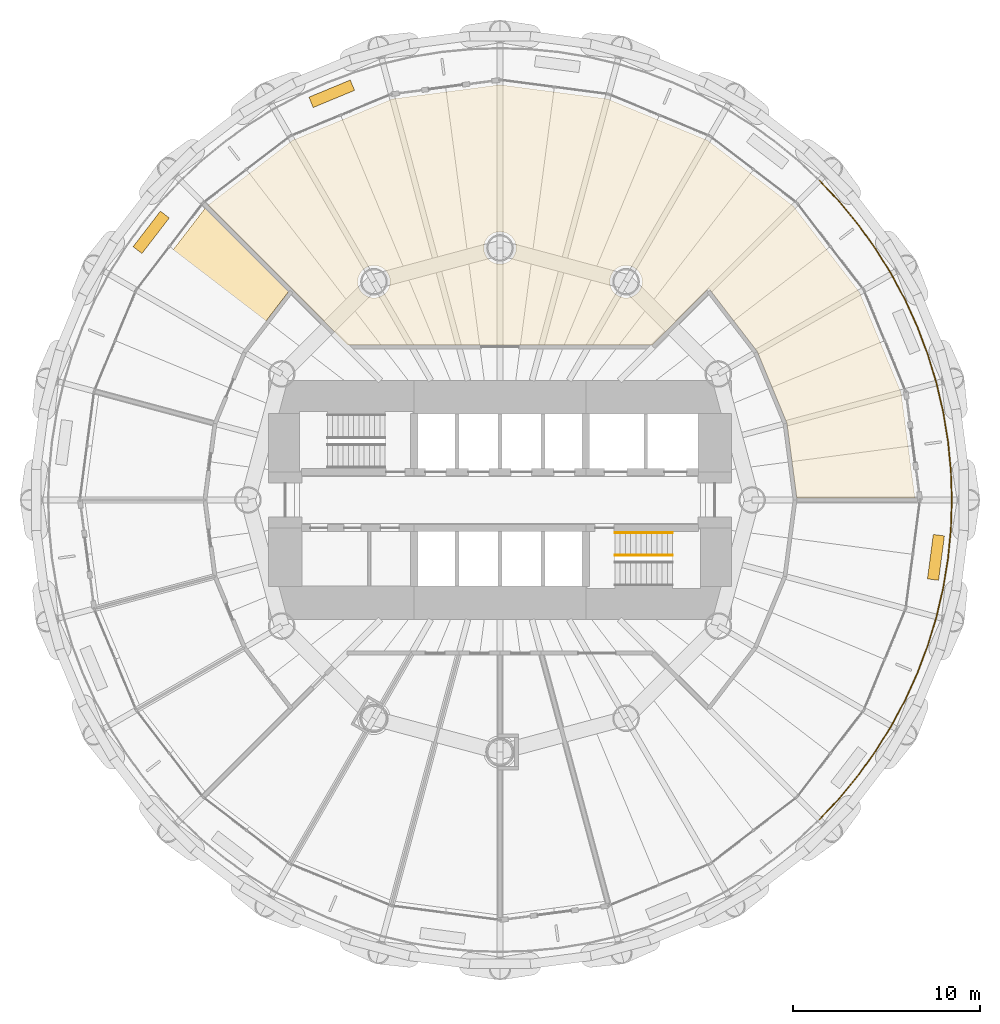
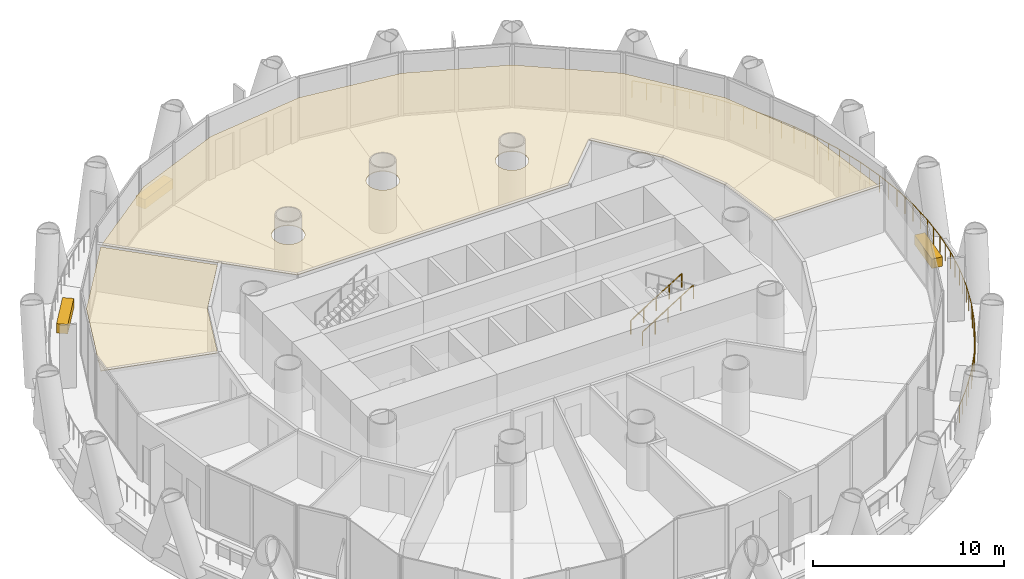
# One storey, part 15 of 16: 5 coverings, 3 railings.
"""IFC4 building model written with IfcOpenShell, lengths in metres."""

from ifc_helpers import new_model, si_unit, direction, frame, origin, origin_2d, place, context, subcontext, project, spatial, polyline, rectangle, circle, outline, extrude, material, layer, layer_set, type_object, element, save


model = new_model("IFC4")

# Units and contexts
model_context = context("Model", 3, precision=1e-05, world=origin(), true_north=direction((0.0, 1.0)))
body_context = subcontext(model_context, "Body", "Model", "MODEL_VIEW")
ifc_project = project(units=[si_unit("LENGTHUNIT", "METRE"), si_unit("AREAUNIT", "SQUARE_METRE"), si_unit("VOLUMEUNIT", "CUBIC_METRE"), si_unit("PLANEANGLEUNIT", "RADIAN"), si_unit("MASSUNIT", "GRAM", prefix="KILO")], contexts=[model_context])

# Site, building, storey
site_placement = place(None, origin())
site = spatial("IfcSite", under=ifc_project, at=site_placement, CompositionType="ELEMENT")
building_placement = place(site_placement, origin())
building = spatial("IfcBuilding", under=site, at=building_placement, Name="Qaws Media Tower", CompositionType="ELEMENT")
storey_placement = place(building_placement, frame((0.0, 0.0, 55.39990234375)))
storey = spatial("IfcBuildingStorey", under=building, at=storey_placement, Name="L11", CompositionType="ELEMENT", Elevation=55.39990234375)

# Coverings
ifc_material_1 = material(Name="40 perforated acoustic panels with mineral wool backing, suspended", Category="mineral fibre")
ifc_layer_1 = layer(ifc_material_1, 0.0400390625)
ifc_layer_set_1 = layer_set([ifc_layer_1], Name="Acoustic panel ceiling 40")
covering_type_1 = type_object("IfcCoveringType", Name="Acoustic panel ceiling 40", PredefinedType="CEILING", material=ifc_layer_set_1)
covering_1_placement = place(storey_placement, frame((0.0, 0.0, 2.85009765625)))
element("IfcCovering", 1, at=covering_1_placement, inside=storey, type_object=covering_type_1, Name="CL3 ceiling L11-02 Newsroom", PredefinedType="CEILING", context=body_context, shape_type="SweptSolid", body=[
    extrude(outline(polyline([(44.3671875, 65.791748046875), (48.88232421875, 69.25634765625), (54.2451171875, 71.4775390625), (60.0, 72.235107421875), (65.7548828125, 71.4775390625), (71.11767578125, 69.25634765625), (75.72265625, 65.72265625), (79.25634765625, 61.11767578125), (81.4775390625, 55.7548828125), (82.220458984375, 50.112548828125), (75.898681640625, 50.112548828125), (75.37109375, 54.11865234375), (73.781494140625, 57.956787109375), (71.183349609375, 61.342529296875), (68.1533203125, 58.3125), (51.8466796875, 58.3125), (44.3671875, 65.791748046875)]), holes=[polyline([(54.0546875, 61.35791015625), (54.09130859375, 61.4658203125), (54.113525390625, 61.57763671875), (54.12109375, 61.69140625), (54.113525390625, 61.804931640625), (54.09130859375, 61.916748046875), (54.0546875, 62.024658203125), (54.00439453125, 62.126708984375), (53.94091796875, 62.2216796875), (53.865966796875, 62.30712890625), (53.7802734375, 62.38232421875), (53.685546875, 62.44580078125), (53.583251953125, 62.49609375), (53.475341796875, 62.53271484375), (53.36376953125, 62.554931640625), (53.25, 62.562255859375), (53.13623046875, 62.554931640625), (53.024658203125, 62.53271484375), (52.916748046875, 62.49609375), (52.814453125, 62.44580078125), (52.7197265625, 62.38232421875), (52.634033203125, 62.30712890625), (52.55908203125, 62.2216796875), (52.49560546875, 62.126708984375), (52.4453125, 62.024658203125), (52.40869140625, 61.916748046875), (52.386474609375, 61.804931640625), (52.37890625, 61.69140625), (52.386474609375, 61.57763671875), (52.40869140625, 61.4658203125), (52.4453125, 61.35791015625), (52.49560546875, 61.255859375), (52.55908203125, 61.1611328125), (52.634033203125, 61.075439453125), (52.7197265625, 61.000244140625), (52.814453125, 60.93701171875), (52.916748046875, 60.88671875), (53.024658203125, 60.85009765625), (53.13623046875, 60.827880859375), (53.25, 60.8203125), (53.36376953125, 60.827880859375), (53.475341796875, 60.85009765625), (53.583251953125, 60.88671875), (53.685546875, 60.93701171875), (53.7802734375, 61.000244140625), (53.865966796875, 61.075439453125), (53.94091796875, 61.1611328125), (54.00439453125, 61.255859375), (54.0546875, 61.35791015625)]), polyline([(60.8046875, 63.166748046875), (60.84130859375, 63.274658203125), (60.863525390625, 63.38623046875), (60.87109375, 63.5), (60.863525390625, 63.61376953125), (60.84130859375, 63.725341796875), (60.8046875, 63.833251953125), (60.75439453125, 63.935546875), (60.69091796875, 64.0302734375), (60.615966796875, 64.115966796875), (60.5302734375, 64.19091796875), (60.435546875, 64.25439453125), (60.333251953125, 64.3046875), (60.225341796875, 64.34130859375), (60.11376953125, 64.363525390625), (60.0, 64.37109375), (59.88623046875, 64.363525390625), (59.774658203125, 64.34130859375), (59.666748046875, 64.3046875), (59.564453125, 64.25439453125), (59.4697265625, 64.19091796875), (59.384033203125, 64.115966796875), (59.30908203125, 64.0302734375), (59.24560546875, 63.935546875), (59.1953125, 63.833251953125), (59.15869140625, 63.725341796875), (59.136474609375, 63.61376953125), (59.12890625, 63.5), (59.136474609375, 63.38623046875), (59.15869140625, 63.274658203125), (59.1953125, 63.166748046875), (59.24560546875, 63.064453125), (59.30908203125, 62.9697265625), (59.384033203125, 62.884033203125), (59.4697265625, 62.80908203125), (59.564453125, 62.74560546875), (59.666748046875, 62.6953125), (59.774658203125, 62.65869140625), (59.88623046875, 62.636474609375), (60.0, 62.62890625), (60.11376953125, 62.636474609375), (60.225341796875, 62.65869140625), (60.333251953125, 62.6953125), (60.435546875, 62.74560546875), (60.5302734375, 62.80908203125), (60.615966796875, 62.884033203125), (60.69091796875, 62.9697265625), (60.75439453125, 63.064453125), (60.8046875, 63.166748046875)]), polyline([(67.5546875, 61.35791015625), (67.59130859375, 61.4658203125), (67.613525390625, 61.57763671875), (67.62109375, 61.69140625), (67.613525390625, 61.804931640625), (67.59130859375, 61.916748046875), (67.5546875, 62.024658203125), (67.50439453125, 62.126708984375), (67.44091796875, 62.2216796875), (67.365966796875, 62.30712890625), (67.2802734375, 62.38232421875), (67.185546875, 62.44580078125), (67.083251953125, 62.49609375), (66.975341796875, 62.53271484375), (66.86376953125, 62.554931640625), (66.75, 62.562255859375), (66.63623046875, 62.554931640625), (66.524658203125, 62.53271484375), (66.416748046875, 62.49609375), (66.314453125, 62.44580078125), (66.2197265625, 62.38232421875), (66.134033203125, 62.30712890625), (66.05908203125, 62.2216796875), (65.99560546875, 62.126708984375), (65.9453125, 62.024658203125), (65.90869140625, 61.916748046875), (65.886474609375, 61.804931640625), (65.87890625, 61.69140625), (65.886474609375, 61.57763671875), (65.90869140625, 61.4658203125), (65.9453125, 61.35791015625), (65.99560546875, 61.255859375), (66.05908203125, 61.1611328125), (66.134033203125, 61.075439453125), (66.2197265625, 61.000244140625), (66.314453125, 60.93701171875), (66.416748046875, 60.88671875), (66.524658203125, 60.85009765625), (66.63623046875, 60.827880859375), (66.75, 60.8203125), (66.86376953125, 60.827880859375), (66.975341796875, 60.85009765625), (67.083251953125, 60.88671875), (67.185546875, 60.93701171875), (67.2802734375, 61.000244140625), (67.365966796875, 61.075439453125), (67.44091796875, 61.1611328125), (67.50439453125, 61.255859375), (67.5546875, 61.35791015625)])]), origin(), (0.0, 0.0, 1.0), 0.0400390625),
])
covering_2_placement = place(storey_placement, frame((0.0, 0.0, 2.85009765625)))
element("IfcCovering", 2, at=covering_2_placement, inside=storey, type_object=covering_type_1, Name="CL3 ceiling L11-03 News meeting room", PredefinedType="CEILING", context=body_context, shape_type="SweptSolid", body=[
    extrude(outline(polyline([(40.74365234375, 61.11767578125), (44.208251953125, 65.6328125), (48.678466796875, 61.16259765625), (46.218505859375, 57.956787109375), (44.672119140625, 54.223388671875), (38.56591796875, 55.859619140625), (40.74365234375, 61.11767578125)])), origin(), (0.0, 0.0, 1.0), 0.0400390625),
])

# Railing
ifc_material_2 = material(Name="Stainless steel and glass guard", Category="steel")
railing_type_1 = type_object("IfcRailingType", Name="Balcony guard 1100", PredefinedType="GUARDRAIL", material=ifc_material_2)
railing_placement = place(storey_placement, frame((77.112060546875, 32.887939453125, 0.0)))
element("IfcRailing", 3, at=railing_placement, inside=storey, type_object=railing_type_1, Name="GR1 balcony guard L11-4", PredefinedType="GUARDRAIL", context=body_context, shape_type="SweptSolid", body=[
    extrude(circle(Radius=0.02392578125, at=origin_2d()), frame((0.0, 0.0, 1.076171875), z_axis=(0.683525663397, 0.729926480872, 0.0), x_axis=(-0.729926480872, 0.683525663397, 0.0)), (0.0, 0.0, 1.0), 1.583740234375),
    extrude(circle(Radius=0.02392578125, at=origin_2d()), frame((1.08251953125, 1.156005859375, 1.076171875), z_axis=(0.634404020343, 0.773001642284, 0.0), x_axis=(-0.773001642284, 0.634404020343, 0.0)), (0.0, 0.0, 1.0), 1.58349609375),
    extrude(circle(Radius=0.02392578125, at=origin_2d()), frame((2.087158203125, 2.380126953125, 1.076171875), z_axis=(0.582491777819, 0.81283659414, 0.0), x_axis=(-0.81283659414, 0.582491777819, 0.0)), (0.0, 0.0, 1.0), 1.58349609375),
    extrude(circle(Radius=0.02392578125, at=origin_2d()), frame((3.009521484375, 3.667236328125, 1.076171875), z_axis=(0.528057343706, 0.849208715075, 0.0), x_axis=(-0.849208715075, 0.528057343706, 0.0)), (0.0, 0.0, 1.0), 1.58349609375),
    extrude(circle(Radius=0.02392578125, at=origin_2d()), frame((3.845703125, 5.011962890625, 1.076171875), z_axis=(0.471404145515, 0.881917304281, 0.0), x_axis=(-0.881917304281, 0.471404145515, 0.0)), (0.0, 0.0, 1.0), 1.583740234375),
    extrude(circle(Radius=0.02392578125, at=origin_2d()), frame((4.59228515625, 6.40869140625, 1.076171875), z_axis=(0.412722382682, 0.910856868467, 0.0), x_axis=(-0.910856868467, 0.412722382682, 0.0)), (0.0, 0.0, 1.0), 1.58349609375),
    extrude(circle(Radius=0.02392578125, at=origin_2d()), frame((5.245849609375, 7.85107421875, 1.076171875), z_axis=(0.35225509793, 0.935904026053, 0.0), x_axis=(-0.935904026053, 0.35225509793, 0.0)), (0.0, 0.0, 1.0), 1.583740234375),
    extrude(circle(Radius=0.02392578125, at=origin_2d()), frame((5.8037109375, 9.333251953125, 1.076171875), z_axis=(0.290302625985, 0.95693489086, 0.0), x_axis=(-0.95693489086, 0.290302625985, 0.0)), (0.0, 0.0, 1.0), 1.58349609375),
    extrude(circle(Radius=0.02392578125, at=origin_2d()), frame((6.263427734375, 10.8486328125, 1.076171875), z_axis=(0.227088279746, 0.973874177295, 0.0), x_axis=(-0.973874177295, 0.227088279746, 0.0)), (0.0, 0.0, 1.0), 1.58349609375),
    extrude(circle(Radius=0.02392578125, at=origin_2d()), frame((6.623046875, 12.390869140625, 1.076171875), z_axis=(0.162798782993, 0.986659290868, 0.0), x_axis=(-0.986659290868, 0.162798782993, 0.0)), (0.0, 0.0, 1.0), 1.583740234375),
    extrude(circle(Radius=0.02392578125, at=origin_2d()), frame((6.880859375, 13.953369140625, 1.076171875), z_axis=(0.098053479386, 0.995181146918, 0.0), x_axis=(-0.995181146918, 0.098053479386, 0.0)), (0.0, 0.0, 1.0), 1.58349609375),
    extrude(circle(Radius=0.02392578125, at=origin_2d()), frame((7.0361328125, 15.529296875, 1.076171875), z_axis=(0.032683439731, 0.999465753674, 0.0), x_axis=(-0.999465753674, 0.032683439731, 0.0)), (0.0, 0.0, 1.0), 1.58349609375),
    extrude(circle(Radius=0.02392578125, at=origin_2d()), frame((7.087890625, 17.112060546875, 1.076171875), z_axis=(-0.032683439731, 0.999465753674, 0.0), x_axis=(-0.999465753674, -0.032683439731, 0.0)), (0.0, 0.0, 1.0), 1.58349609375),
    extrude(circle(Radius=0.02392578125, at=origin_2d()), frame((7.0361328125, 18.69482421875, 1.076171875), z_axis=(-0.098053479386, 0.995181146918, 0.0), x_axis=(-0.995181146918, -0.098053479386, 0.0)), (0.0, 0.0, 1.0), 1.58349609375),
    extrude(circle(Radius=0.02392578125, at=origin_2d()), frame((6.880859375, 20.270751953125, 1.076171875), z_axis=(-0.162798782993, 0.986659290868, 0.0), x_axis=(-0.986659290868, -0.162798782993, 0.0)), (0.0, 0.0, 1.0), 1.583740234375),
    extrude(circle(Radius=0.02392578125, at=origin_2d()), frame((6.623046875, 21.833251953125, 1.076171875), z_axis=(-0.227088279746, 0.973874177295, 0.0), x_axis=(-0.973874177295, -0.227088279746, 0.0)), (0.0, 0.0, 1.0), 1.58349609375),
    extrude(circle(Radius=0.02392578125, at=origin_2d()), frame((6.263427734375, 23.37548828125, 1.076171875), z_axis=(-0.290302625985, 0.95693489086, 0.0), x_axis=(-0.95693489086, -0.290302625985, 0.0)), (0.0, 0.0, 1.0), 1.58349609375),
    extrude(circle(Radius=0.02392578125, at=origin_2d()), frame((5.8037109375, 24.890869140625, 1.076171875), z_axis=(-0.35225509793, 0.935904026053, 0.0), x_axis=(-0.935904026053, -0.35225509793, 0.0)), (0.0, 0.0, 1.0), 1.583740234375),
    extrude(circle(Radius=0.02392578125, at=origin_2d()), frame((5.245849609375, 26.373046875, 1.076171875), z_axis=(-0.412722382682, 0.910856868467, 0.0), x_axis=(-0.910856868467, -0.412722382682, 0.0)), (0.0, 0.0, 1.0), 1.58349609375),
    extrude(circle(Radius=0.02392578125, at=origin_2d()), frame((4.59228515625, 27.8154296875, 1.076171875), z_axis=(-0.471404145515, 0.881917304281, 0.0), x_axis=(-0.881917304281, -0.471404145515, 0.0)), (0.0, 0.0, 1.0), 1.583740234375),
    extrude(circle(Radius=0.02392578125, at=origin_2d()), frame((3.845703125, 29.212158203125, 1.076171875), z_axis=(-0.528057343706, 0.849208715075, 0.0), x_axis=(-0.849208715075, -0.528057343706, 0.0)), (0.0, 0.0, 1.0), 1.58349609375),
    extrude(circle(Radius=0.02392578125, at=origin_2d()), frame((3.009521484375, 30.556884765625, 1.076171875), z_axis=(-0.582491777819, 0.81283659414, 0.0), x_axis=(-0.81283659414, -0.582491777819, 0.0)), (0.0, 0.0, 1.0), 1.58349609375),
    extrude(circle(Radius=0.02392578125, at=origin_2d()), frame((2.087158203125, 31.843994140625, 1.076171875), z_axis=(-0.634404020343, 0.773001642284, 0.0), x_axis=(-0.773001642284, -0.634404020343, 0.0)), (0.0, 0.0, 1.0), 1.58349609375),
    extrude(circle(Radius=0.02392578125, at=origin_2d()), frame((1.08251953125, 33.068115234375, 1.076171875), z_axis=(-0.683525663397, 0.729926480872, 0.0), x_axis=(-0.729926480872, -0.683525663397, 0.0)), (0.0, 0.0, 1.0), 1.583740234375),
    extrude(circle(Radius=0.02099609375, at=origin_2d()), origin(), (0.0, 0.0, 1.0), 1.052001953125),
    extrude(circle(Radius=0.02099609375, at=origin_2d()), frame((0.541259765625, 0.578125, 0.0)), (0.0, 0.0, 1.0), 1.052001953125),
    extrude(circle(Radius=0.02099609375, at=origin_2d()), frame((1.08251953125, 1.156005859375, 0.0)), (0.0, 0.0, 1.0), 1.052001953125),
    extrude(circle(Radius=0.02099609375, at=origin_2d()), frame((1.5849609375, 1.76806640625, 0.0)), (0.0, 0.0, 1.0), 1.052001953125),
    extrude(circle(Radius=0.02099609375, at=origin_2d()), frame((2.087158203125, 2.380126953125, 0.0)), (0.0, 0.0, 1.0), 1.052001953125),
    extrude(circle(Radius=0.02099609375, at=origin_2d()), frame((2.54833984375, 3.023681640625, 0.0)), (0.0, 0.0, 1.0), 1.052001953125),
    extrude(circle(Radius=0.02099609375, at=origin_2d()), frame((3.009521484375, 3.667236328125, 0.0)), (0.0, 0.0, 1.0), 1.052001953125),
    extrude(circle(Radius=0.02099609375, at=origin_2d()), frame((3.427734375, 4.339599609375, 0.0)), (0.0, 0.0, 1.0), 1.052001953125),
    extrude(circle(Radius=0.02099609375, at=origin_2d()), frame((3.845703125, 5.011962890625, 0.0)), (0.0, 0.0, 1.0), 1.052001953125),
    extrude(circle(Radius=0.02099609375, at=origin_2d()), frame((4.218994140625, 5.71044921875, 0.0)), (0.0, 0.0, 1.0), 1.052001953125),
    extrude(circle(Radius=0.02099609375, at=origin_2d()), frame((4.59228515625, 6.40869140625, 0.0)), (0.0, 0.0, 1.0), 1.052001953125),
    extrude(circle(Radius=0.02099609375, at=origin_2d()), frame((4.9189453125, 7.1298828125, 0.0)), (0.0, 0.0, 1.0), 1.052001953125),
    extrude(circle(Radius=0.02099609375, at=origin_2d()), frame((5.245849609375, 7.85107421875, 0.0)), (0.0, 0.0, 1.0), 1.052001953125),
    extrude(circle(Radius=0.02099609375, at=origin_2d()), frame((5.52490234375, 8.59228515625, 0.0)), (0.0, 0.0, 1.0), 1.052001953125),
    extrude(circle(Radius=0.02099609375, at=origin_2d()), frame((5.8037109375, 9.333251953125, 0.0)), (0.0, 0.0, 1.0), 1.052001953125),
    extrude(circle(Radius=0.02099609375, at=origin_2d()), frame((6.03369140625, 10.0908203125, 0.0)), (0.0, 0.0, 1.0), 1.052001953125),
    extrude(circle(Radius=0.02099609375, at=origin_2d()), frame((6.263427734375, 10.8486328125, 0.0)), (0.0, 0.0, 1.0), 1.052001953125),
    extrude(circle(Radius=0.02099609375, at=origin_2d()), frame((6.443359375, 11.61962890625, 0.0)), (0.0, 0.0, 1.0), 1.052001953125),
    extrude(circle(Radius=0.02099609375, at=origin_2d()), frame((6.623046875, 12.390869140625, 0.0)), (0.0, 0.0, 1.0), 1.052001953125),
    extrude(circle(Radius=0.02099609375, at=origin_2d()), frame((6.751953125, 13.172119140625, 0.0)), (0.0, 0.0, 1.0), 1.052001953125),
    extrude(circle(Radius=0.02099609375, at=origin_2d()), frame((6.880859375, 13.953369140625, 0.0)), (0.0, 0.0, 1.0), 1.052001953125),
    extrude(circle(Radius=0.02099609375, at=origin_2d()), frame((6.95849609375, 14.7412109375, 0.0)), (0.0, 0.0, 1.0), 1.052001953125),
    extrude(circle(Radius=0.02099609375, at=origin_2d()), frame((7.0361328125, 15.529296875, 0.0)), (0.0, 0.0, 1.0), 1.052001953125),
    extrude(circle(Radius=0.02099609375, at=origin_2d()), frame((7.06201171875, 16.32080078125, 0.0)), (0.0, 0.0, 1.0), 1.052001953125),
    extrude(circle(Radius=0.02099609375, at=origin_2d()), frame((7.087890625, 17.112060546875, 0.0)), (0.0, 0.0, 1.0), 1.052001953125),
    extrude(circle(Radius=0.02099609375, at=origin_2d()), frame((7.06201171875, 17.9033203125, 0.0)), (0.0, 0.0, 1.0), 1.052001953125),
    extrude(circle(Radius=0.02099609375, at=origin_2d()), frame((7.0361328125, 18.69482421875, 0.0)), (0.0, 0.0, 1.0), 1.052001953125),
    extrude(circle(Radius=0.02099609375, at=origin_2d()), frame((6.95849609375, 19.48291015625, 0.0)), (0.0, 0.0, 1.0), 1.052001953125),
    extrude(circle(Radius=0.02099609375, at=origin_2d()), frame((6.880859375, 20.270751953125, 0.0)), (0.0, 0.0, 1.0), 1.052001953125),
    extrude(circle(Radius=0.02099609375, at=origin_2d()), frame((6.751953125, 21.052001953125, 0.0)), (0.0, 0.0, 1.0), 1.052001953125),
    extrude(circle(Radius=0.02099609375, at=origin_2d()), frame((6.623046875, 21.833251953125, 0.0)), (0.0, 0.0, 1.0), 1.052001953125),
    extrude(circle(Radius=0.02099609375, at=origin_2d()), frame((6.443359375, 22.6044921875, 0.0)), (0.0, 0.0, 1.0), 1.052001953125),
    extrude(circle(Radius=0.02099609375, at=origin_2d()), frame((6.263427734375, 23.37548828125, 0.0)), (0.0, 0.0, 1.0), 1.052001953125),
    extrude(circle(Radius=0.02099609375, at=origin_2d()), frame((6.03369140625, 24.13330078125, 0.0)), (0.0, 0.0, 1.0), 1.052001953125),
    extrude(circle(Radius=0.02099609375, at=origin_2d()), frame((5.8037109375, 24.890869140625, 0.0)), (0.0, 0.0, 1.0), 1.052001953125),
    extrude(circle(Radius=0.02099609375, at=origin_2d()), frame((5.52490234375, 25.6318359375, 0.0)), (0.0, 0.0, 1.0), 1.052001953125),
    extrude(circle(Radius=0.02099609375, at=origin_2d()), frame((5.245849609375, 26.373046875, 0.0)), (0.0, 0.0, 1.0), 1.052001953125),
    extrude(circle(Radius=0.02099609375, at=origin_2d()), frame((4.9189453125, 27.09423828125, 0.0)), (0.0, 0.0, 1.0), 1.052001953125),
    extrude(circle(Radius=0.02099609375, at=origin_2d()), frame((4.59228515625, 27.8154296875, 0.0)), (0.0, 0.0, 1.0), 1.052001953125),
    extrude(circle(Radius=0.02099609375, at=origin_2d()), frame((4.218994140625, 28.513671875, 0.0)), (0.0, 0.0, 1.0), 1.052001953125),
    extrude(circle(Radius=0.02099609375, at=origin_2d()), frame((3.845703125, 29.212158203125, 0.0)), (0.0, 0.0, 1.0), 1.052001953125),
    extrude(circle(Radius=0.02099609375, at=origin_2d()), frame((3.427734375, 29.884521484375, 0.0)), (0.0, 0.0, 1.0), 1.052001953125),
    extrude(circle(Radius=0.02099609375, at=origin_2d()), frame((3.009521484375, 30.556884765625, 0.0)), (0.0, 0.0, 1.0), 1.052001953125),
    extrude(circle(Radius=0.02099609375, at=origin_2d()), frame((2.54833984375, 31.200439453125, 0.0)), (0.0, 0.0, 1.0), 1.052001953125),
    extrude(circle(Radius=0.02099609375, at=origin_2d()), frame((2.087158203125, 31.843994140625, 0.0)), (0.0, 0.0, 1.0), 1.052001953125),
    extrude(circle(Radius=0.02099609375, at=origin_2d()), frame((1.5849609375, 32.4560546875, 0.0)), (0.0, 0.0, 1.0), 1.052001953125),
    extrude(circle(Radius=0.02099609375, at=origin_2d()), frame((1.08251953125, 33.068115234375, 0.0)), (0.0, 0.0, 1.0), 1.052001953125),
    extrude(circle(Radius=0.02099609375, at=origin_2d()), frame((0.541259765625, 33.64599609375, 0.0)), (0.0, 0.0, 1.0), 1.052001953125),
    extrude(circle(Radius=0.02099609375, at=origin_2d()), frame((0.0, 34.22412109375, 0.0)), (0.0, 0.0, 1.0), 1.052001953125),
])

# Coverings
ifc_material_3 = material(Name="Precast concrete planter with trailing planting", Category="concrete")
ifc_layer_2 = layer(ifc_material_3, 0.60009765625)
ifc_layer_set_2 = layer_set([ifc_layer_2], Name="Planter 2400x600")
covering_type_2 = type_object("IfcCoveringType", Name="Planter 2400x600", PredefinedType="USERDEFINED", material=ifc_layer_set_2)
for number, where, z_axis, x_axis, name in (
    (4, (50.98779296875, 71.75732421875, 0.0), (0.0, 0.0, 1.0), (-0.923879532511, -0.382683432365, 0.0), "PL1 balcony planter L11-04"),
    (5, (41.316650390625, 64.33642578125, 0.0), (0.0, 0.0, 1.0), (-0.608761429009, -0.793353340291, 0.0), "PL1 balcony planter L11-05"),
    (6, (83.3486328125, 46.926025390625, 0.0), (0.0, 0.0, 1.0), (0.13052619222, 0.991444861374, 0.0), "PL1 balcony planter L11-12"),
):
    element("IfcCovering", number, at=place(storey_placement, frame(where, z_axis=z_axis, x_axis=x_axis)), inside=storey, type_object=covering_type_2, Name=name, ObjectType="PLANTER", PredefinedType="USERDEFINED", context=body_context, shape_type="SweptSolid", body=[
        extrude(rectangle(XDim=2.39990234375, YDim=0.60009765625, at=origin_2d()), origin(), (0.0, 0.0, 1.0), 0.60009765625),
    ])

# Railings
ifc_material_4 = material(Name="Steel tube handrail", Category="steel")
railing_type_2 = type_object("IfcRailingType", Name="Stair handrail 900", PredefinedType="HANDRAIL", material=ifc_material_4)
for number, where, name in (
    (7, (66.159912109375, 48.25, 0.175048828125), "HR1 handrail S2 flight 1 L11"),
    (8, (66.159912109375, 47.0400390625, 0.175048828125), "HR1 handrail S2 flight 1 L11"),
):
    element("IfcRailing", number, at=place(storey_placement, frame(where)), inside=storey, type_object=railing_type_2, Name=name, PredefinedType="HANDRAIL", context=body_context, shape_type="SweptSolid", body=[
        extrude(circle(Radius=0.02392578125, at=origin_2d()), frame((0.0, 0.0, 0.8759765625), z_axis=(0.847998304005, 0.0, 0.529998940003), x_axis=(0.0, 1.0, 0.0)), (0.0, 0.0, 1.0), 3.632080078125),
        extrude(circle(Radius=0.02099609375, at=origin_2d()), origin(), (0.0, 0.0, 1.0), 0.851806640625),
        extrude(circle(Radius=0.02099609375, at=origin_2d()), frame((0.77001953125, 0.0, 0.481201171875)), (0.0, 0.0, 1.0), 0.851806640625),
        extrude(circle(Radius=0.02099609375, at=origin_2d()), frame((1.5400390625, 0.0, 0.96240234375)), (0.0, 0.0, 1.0), 0.851806640625),
        extrude(circle(Radius=0.02099609375, at=origin_2d()), frame((2.31005859375, 0.0, 1.44384765625)), (0.0, 0.0, 1.0), 0.851806640625),
        extrude(circle(Radius=0.02099609375, at=origin_2d()), frame((3.080078125, 0.0, 1.925048828125)), (0.0, 0.0, 1.0), 0.851806640625),
    ])

save(model, "model.ifc")
